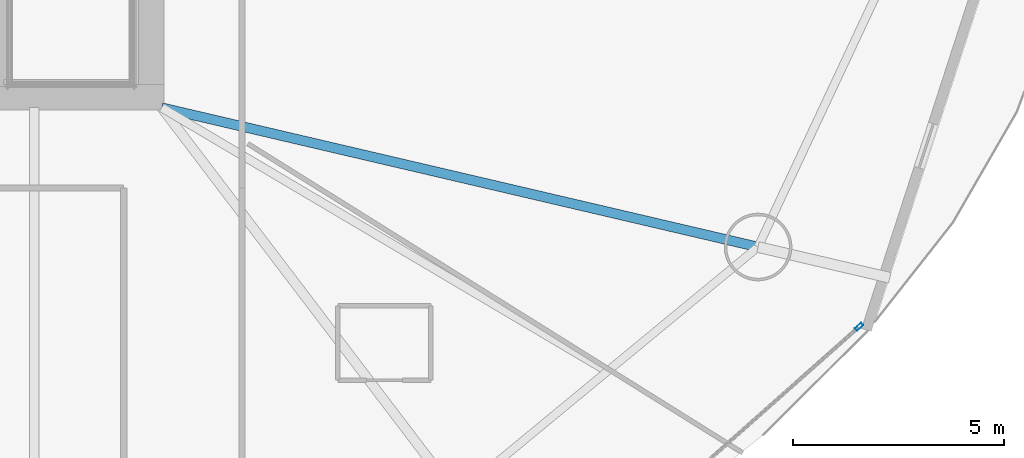
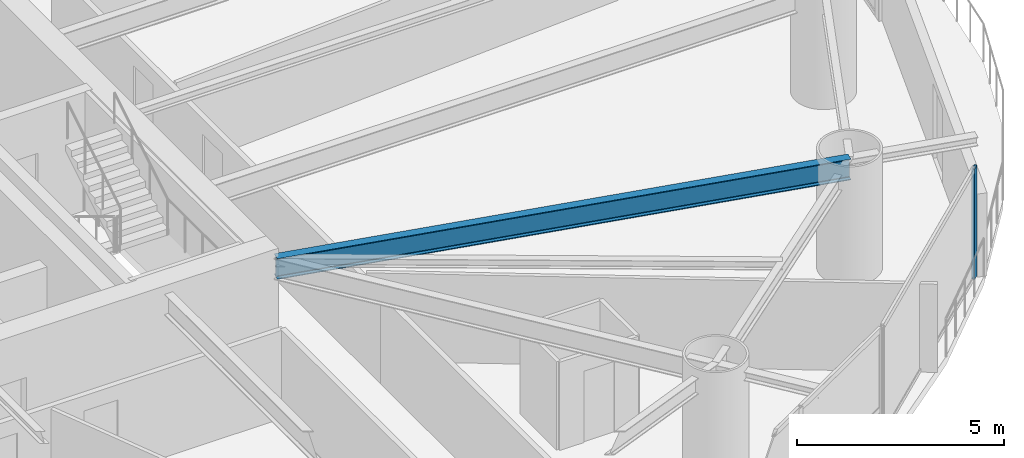
# One storey, part 7 of 26: 1 beam, 1 member, 1 element without a shape of its own.
"""IFC4 building model written with IfcOpenShell, lengths in metres."""

from ifc_helpers import new_model, si_unit, direction, frame, origin, origin_2d, place, context, subcontext, project, spatial, hollow_rectangle, i_section, extrude, material, layer, layer_set, material_profile, profile_set, type_object, element, aggregate, save


model = new_model("IFC4")

# Units and contexts
model_context = context("Model", 3, precision=1e-05, world=origin(), true_north=direction((0.0, 1.0)))
body_context = subcontext(model_context, "Body", "Model", "MODEL_VIEW")
ifc_project = project(units=[si_unit("LENGTHUNIT", "METRE"), si_unit("AREAUNIT", "SQUARE_METRE"), si_unit("VOLUMEUNIT", "CUBIC_METRE"), si_unit("PLANEANGLEUNIT", "RADIAN"), si_unit("MASSUNIT", "GRAM", prefix="KILO")], contexts=[model_context])

# Site, building, storey
site_placement = place(None, origin())
site = spatial("IfcSite", under=ifc_project, at=site_placement, CompositionType="ELEMENT")
building_placement = place(site_placement, origin())
building = spatial("IfcBuilding", under=site, at=building_placement, Name="Bramvorn Convention Spire", CompositionType="ELEMENT")
storey_placement = place(building_placement, frame((0.0, 0.0, 51.89990234375)))
storey = spatial("IfcBuildingStorey", under=building, at=storey_placement, Name="L10", CompositionType="ELEMENT", Elevation=51.89990234375)

# Beam
ifc_material_1 = material(Name="Steel CSA G40.21 Grade 350 (350W)", Category="steel")
ifc_material_profile_1 = material_profile(ifc_material_1, i_section(OverallWidth=0.22998046875, OverallDepth=0.616943359375, WebThickness=0.01318359375, FlangeThickness=0.022216796875, FilletRadius=0.02001953125, at=origin_2d()))
ifc_profile_set_1 = profile_set([ifc_material_profile_1], Name="Steel CSA G40.21 Grade 350 (350W) - W610X140")
beam_type = type_object("IfcBeamType", Name="BM-W610X140", PredefinedType="BEAM", material=ifc_profile_set_1)
beam_placement = place(storey_placement, frame((49.25, 18.550048828125, 2.941650390625), z_axis=(0.973775294862, -0.227511923018, 0.0), x_axis=(0.227511923018, 0.973775294862, 0.0)))
element("IfcBeam", 1, at=beam_placement, inside=storey, type_object=beam_type, Name="L10 radial floor girder MC16", PredefinedType="BEAM", context=body_context, shape_type="SweptSolid", body=[
    extrude(i_section(OverallWidth=0.22998046875, OverallDepth=0.616943359375, WebThickness=0.01318359375, FlangeThickness=0.022216796875, FilletRadius=0.02001953125, at=origin_2d()), origin(), (0.0, 0.0, 1.0), 14.48876953125),
])

# Curtain wall, member
ifc_material_2 = material(Name="Anodised Bronze Unitised Curtain Wall", Category="aluminium")
ifc_layer = layer(ifc_material_2, 0.179931640625)
ifc_layer_set = layer_set([ifc_layer], Name="Anodised Bronze Unitised Curtain Wall - CW-HTL-FRIT")
curtain_wall_type = type_object("IfcCurtainWallType", Name="CW-HTL-FRIT", PredefinedType="USERDEFINED", material=ifc_layer_set)
curtain_wall_placement = place(storey_placement, origin())
curtain_wall = element("IfcCurtainWall", 2, at=curtain_wall_placement, inside=storey, type_object=curtain_wall_type, Name="L10 fritted glass curtain wall 22", ObjectType="UNITISED CURTAIN WALL", PredefinedType="USERDEFINED")
ifc_material_3 = material(Name="Anodised Bronze Aluminium 6063-T6", Category="aluminium")
ifc_material_profile_2 = material_profile(ifc_material_3, hollow_rectangle(XDim=0.080078125, YDim=0.199951171875, WallThickness=0.00390625, InnerFilletRadius=0.0009765625, OuterFilletRadius=0.00390625, at=origin_2d()))
ifc_profile_set_2 = profile_set([ifc_material_profile_2], Name="Anodised Bronze Aluminium 6063-T6 - CWM80X200")
member_type = type_object("IfcMemberType", Name="CW-MUL-180", PredefinedType="MULLION", material=ifc_profile_set_2)
member_placement = place(storey_placement, frame((65.751953125, 13.369384765625, 0.0), z_axis=(0.0, 0.0, 1.0), x_axis=(0.6634431048, -0.748226734816, 0.0)))
member = element("IfcMember", 3, at=member_placement, type_object=member_type, Name="CW2 mullion 1", PredefinedType="MULLION", context=body_context, shape_type="SweptSolid", body=[
    extrude(hollow_rectangle(XDim=0.080078125, YDim=0.199951171875, WallThickness=0.00390625, InnerFilletRadius=0.0009765625, OuterFilletRadius=0.00390625, at=origin_2d()), origin(), (0.0, 0.0, 1.0), 3.25),
])
aggregate(curtain_wall, [member])

save(model, "model.ifc")
